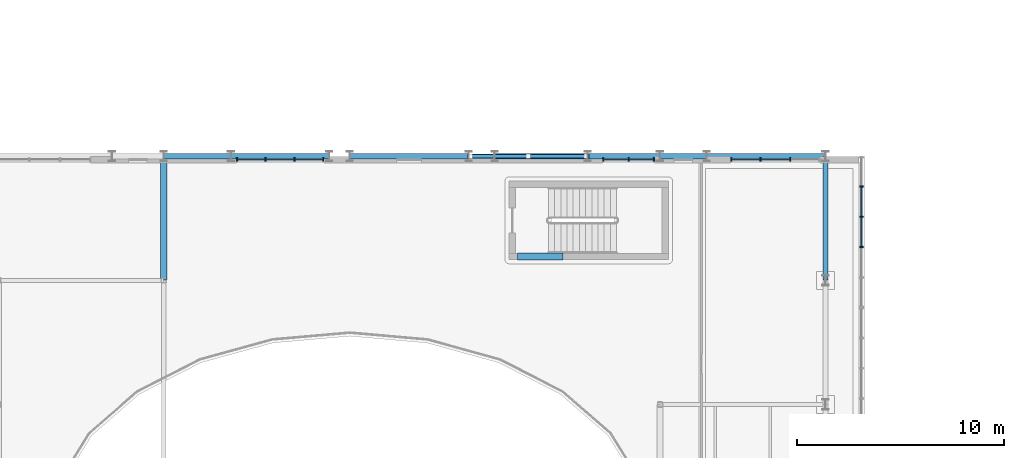
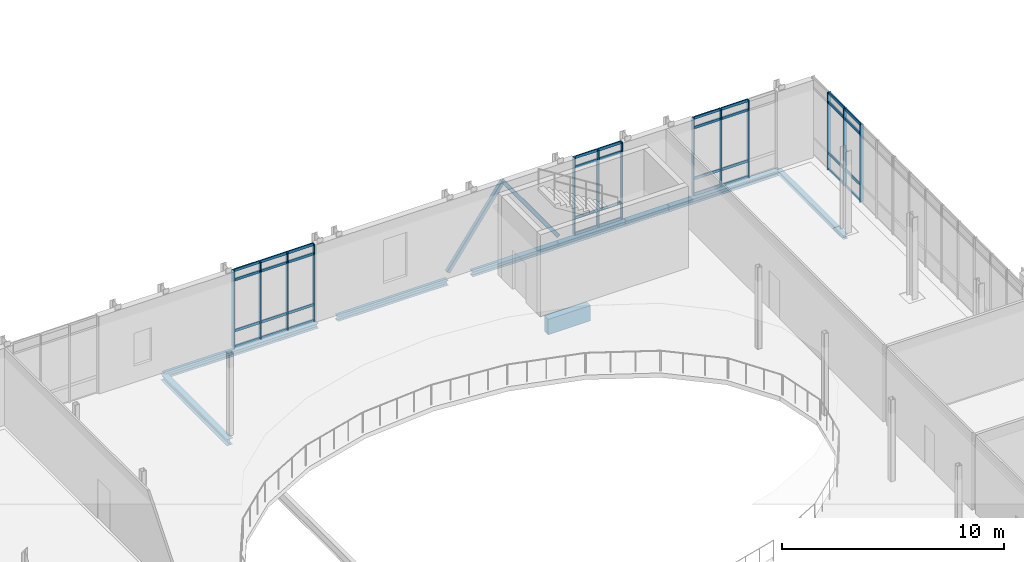
# One storey, part 34 of 100: 51 members, 10 beams, 4 elements without a shape of their own.
"""IFC4 building model written with IfcOpenShell, lengths in metres."""

from ifc_helpers import new_model, si_unit, direction, frame, origin, origin_2d, place, context, subcontext, project, spatial, rectangle, hollow_rectangle, i_section, extrude, material, material_profile, profile_set, type_object, element, aggregate, save


model = new_model("IFC4")

# Units and contexts
model_context = context("Model", 3, precision=1e-05, world=origin(), true_north=direction((0.0, 1.0)))
body_context = subcontext(model_context, "Body", "Model", "MODEL_VIEW")
ifc_project = project(units=[si_unit("LENGTHUNIT", "METRE"), si_unit("AREAUNIT", "SQUARE_METRE"), si_unit("VOLUMEUNIT", "CUBIC_METRE"), si_unit("PLANEANGLEUNIT", "RADIAN"), si_unit("MASSUNIT", "GRAM", prefix="KILO")], contexts=[model_context])

# Site, building, storey
site_placement = place(None, origin())
site = spatial("IfcSite", under=ifc_project, at=site_placement, CompositionType="ELEMENT")
building_placement = place(site_placement, origin())
building = spatial("IfcBuilding", under=site, at=building_placement, Name="Cymarion Research Institute", CompositionType="ELEMENT")
storey_placement = place(building_placement, frame((0.0, 0.0, 9.300048828125)))
storey = spatial("IfcBuildingStorey", under=building, at=storey_placement, Name="L02", CompositionType="ELEMENT", Elevation=9.300048828125)

# Beam
ifc_material_1 = material(Name="Concrete C40/50", Category="concrete")
ifc_material_profile_1 = material_profile(ifc_material_1, rectangle(XDim=0.35009765625, YDim=0.85009765625, at=origin_2d()), Name="RC 350x850")
ifc_profile_set_1 = profile_set([ifc_material_profile_1], Name="Concrete C40/50")
beam_type_1 = type_object("IfcBeamType", Name="COUPLING LINTEL LN02 RC 350x850", PredefinedType="LINTEL", material=ifc_profile_set_1)
beam_1_placement = place(storey_placement, frame((87.699951171875, 36.64990234375, -0.695068359375), z_axis=(1.0, 0.0, 0.0), x_axis=(0.0, 1.0, 0.0)))
element("IfcBeam", 1, at=beam_1_placement, inside=storey, type_object=beam_type_1, Name="L02 C4 core coupling lintel LN02", PredefinedType="LINTEL", context=body_context, shape_type="SweptSolid", body=[
    extrude(rectangle(XDim=0.35009765625, YDim=0.85009765625, at=origin_2d()), origin(), (0.0, 0.0, 1.0), 2.199951171875),
])

# Curtain wall, members
ifc_material_2 = material(Name="Anodised aluminium unitised curtain wall with Low-E glazing", Category="aluminium")
curtain_wall_type_1 = type_object("IfcCurtainWallType", Name="UNITISED CURTAIN WALL CW08 7320X4250", PredefinedType="NOTDEFINED", material=ifc_material_2)
curtain_wall_1_placement = place(storey_placement, origin())
curtain_wall_1 = element("IfcCurtainWall", 2, at=curtain_wall_1_placement, inside=storey, type_object=curtain_wall_type_1, Name="L02 V2 unitised curtain wall CW08 #82", PredefinedType="NOTDEFINED")
ifc_material_3 = material(Name="Anodised aluminium framing", Category="aluminium")
ifc_material_profile_2 = material_profile(ifc_material_3, rectangle(XDim=0.06005859375, YDim=0.179931640625, at=origin_2d()), Name="ALU MULLION 60x180")
ifc_profile_set_2 = profile_set([ifc_material_profile_2], Name="Anodised aluminium framing")
member_type_1 = type_object("IfcMemberType", Name="CURTAIN WALL MULLION ML01 60X180", PredefinedType="MULLION", material=ifc_profile_set_2)
member_1_placement = place(storey_placement, frame((104.340087890625, 37.10791015625, 0.0), z_axis=(0.0, 0.0, 1.0), x_axis=(0.0, 1.0, 0.0)))
member_1 = element("IfcMember", 3, at=member_1_placement, type_object=member_type_1, Name="CW08 mullion 3", PredefinedType="MULLION", context=body_context, shape_type="SweptSolid", body=[
    extrude(rectangle(XDim=0.06005859375, YDim=0.179931640625, at=origin_2d()), origin(), (0.0, 0.0, 1.0), 4.25),
])
member_2_placement = place(storey_placement, frame((104.340087890625, 38.572021484375, 0.0), z_axis=(0.0, 0.0, 1.0), x_axis=(0.0, 1.0, 0.0)))
member_2 = element("IfcMember", 4, at=member_2_placement, type_object=member_type_1, Name="CW08 mullion 4", PredefinedType="MULLION", context=body_context, shape_type="SweptSolid", body=[
    extrude(rectangle(XDim=0.06005859375, YDim=0.179931640625, at=origin_2d()), origin(), (0.0, 0.0, 1.0), 4.25),
])
member_3_placement = place(storey_placement, frame((104.340087890625, 40.035888671875, 0.0), z_axis=(0.0, 0.0, 1.0), x_axis=(0.0, 1.0, 0.0)))
member_3 = element("IfcMember", 5, at=member_3_placement, type_object=member_type_1, Name="CW08 mullion 5", PredefinedType="MULLION", context=body_context, shape_type="SweptSolid", body=[
    extrude(rectangle(XDim=0.06005859375, YDim=0.179931640625, at=origin_2d()), origin(), (0.0, 0.0, 1.0), 4.25),
])

curtain_wall_type_2 = type_object("IfcCurtainWallType", Name="UNITISED CURTAIN WALL CW09 4330X4250", PredefinedType="NOTDEFINED", material=ifc_material_2)
curtain_wall_2_placement = place(storey_placement, origin())
curtain_wall_2 = element("IfcCurtainWall", 6, at=curtain_wall_2_placement, inside=storey, type_object=curtain_wall_type_2, Name="L02 V2 unitised curtain wall CW09 #83", PredefinedType="NOTDEFINED")
member_4_placement = place(storey_placement, frame((100.89697265625, 41.340087890625, 0.0), z_axis=(0.0, 0.0, 1.0), x_axis=(-1.0, 0.0, 0.0)))
member_4 = element("IfcMember", 7, at=member_4_placement, type_object=member_type_1, Name="CW09 mullion 2", PredefinedType="MULLION", context=body_context, shape_type="SweptSolid", body=[
    extrude(rectangle(XDim=0.06005859375, YDim=0.179931640625, at=origin_2d()), origin(), (0.0, 0.0, 1.0), 4.25),
])
member_5_placement = place(storey_placement, frame((99.453857421875, 41.340087890625, 0.0), z_axis=(0.0, 0.0, 1.0), x_axis=(-1.0, 0.0, 0.0)))
member_5 = element("IfcMember", 8, at=member_5_placement, type_object=member_type_1, Name="CW09 mullion 3", PredefinedType="MULLION", context=body_context, shape_type="SweptSolid", body=[
    extrude(rectangle(XDim=0.06005859375, YDim=0.179931640625, at=origin_2d()), origin(), (0.0, 0.0, 1.0), 4.25),
])
member_6_placement = place(storey_placement, frame((98.040771484375, 41.340087890625, 0.0), z_axis=(0.0, 0.0, 1.0), x_axis=(-1.0, 0.0, 0.0)))
member_6 = element("IfcMember", 9, at=member_6_placement, type_object=member_type_1, Name="CW09 mullion 4", PredefinedType="MULLION", context=body_context, shape_type="SweptSolid", body=[
    extrude(rectangle(XDim=0.06005859375, YDim=0.179931640625, at=origin_2d()), origin(), (0.0, 0.0, 1.0), 4.25),
])

curtain_wall_type_3 = type_object("IfcCurtainWallType", Name="UNITISED CURTAIN WALL CW10 2520X4250", PredefinedType="NOTDEFINED", material=ifc_material_2)
curtain_wall_3_placement = place(storey_placement, origin())
curtain_wall_3 = element("IfcCurtainWall", 10, at=curtain_wall_3_placement, inside=storey, type_object=curtain_wall_type_3, Name="L02 V2 unitised curtain wall CW10 #84", PredefinedType="NOTDEFINED")
member_7_placement = place(storey_placement, frame((94.31005859375, 41.340087890625, 0.0), z_axis=(0.0, 0.0, 1.0), x_axis=(-1.0, 0.0, 0.0)))
member_7 = element("IfcMember", 11, at=member_7_placement, type_object=member_type_1, Name="CW10 mullion 1", PredefinedType="MULLION", context=body_context, shape_type="SweptSolid", body=[
    extrude(rectangle(XDim=0.06005859375, YDim=0.179931640625, at=origin_2d()), origin(), (0.0, 0.0, 1.0), 4.25),
])
member_8_placement = place(storey_placement, frame((93.081787109375, 41.340087890625, 0.0), z_axis=(0.0, 0.0, 1.0), x_axis=(-1.0, 0.0, 0.0)))
member_8 = element("IfcMember", 12, at=member_8_placement, type_object=member_type_1, Name="CW10 mullion 2", PredefinedType="MULLION", context=body_context, shape_type="SweptSolid", body=[
    extrude(rectangle(XDim=0.06005859375, YDim=0.179931640625, at=origin_2d()), origin(), (0.0, 0.0, 1.0), 4.25),
])
member_9_placement = place(storey_placement, frame((91.853515625, 41.340087890625, 0.0), z_axis=(0.0, 0.0, 1.0), x_axis=(-1.0, 0.0, 0.0)))
member_9 = element("IfcMember", 13, at=member_9_placement, type_object=member_type_1, Name="CW10 mullion 3", PredefinedType="MULLION", context=body_context, shape_type="SweptSolid", body=[
    extrude(rectangle(XDim=0.06005859375, YDim=0.179931640625, at=origin_2d()), origin(), (0.0, 0.0, 1.0), 4.25),
])

curtain_wall_type_4 = type_object("IfcCurtainWallType", Name="UNITISED CURTAIN WALL CW11 4230X4250", PredefinedType="NOTDEFINED", material=ifc_material_2)
curtain_wall_4_placement = place(storey_placement, origin())
curtain_wall_4 = element("IfcCurtainWall", 14, at=curtain_wall_4_placement, inside=storey, type_object=curtain_wall_type_4, Name="L02 V2 unitised curtain wall CW11 #85", PredefinedType="NOTDEFINED")
member_10_placement = place(storey_placement, frame((78.31005859375, 41.340087890625, 0.0), z_axis=(0.0, 0.0, 1.0), x_axis=(-1.0, 0.0, 0.0)))
member_10 = element("IfcMember", 15, at=member_10_placement, type_object=member_type_1, Name="CW11 mullion 1", PredefinedType="MULLION", context=body_context, shape_type="SweptSolid", body=[
    extrude(rectangle(XDim=0.06005859375, YDim=0.179931640625, at=origin_2d()), origin(), (0.0, 0.0, 1.0), 4.25),
])
member_11_placement = place(storey_placement, frame((76.929931640625, 41.340087890625, 0.0), z_axis=(0.0, 0.0, 1.0), x_axis=(-1.0, 0.0, 0.0)))
member_11 = element("IfcMember", 16, at=member_11_placement, type_object=member_type_1, Name="CW11 mullion 2", PredefinedType="MULLION", context=body_context, shape_type="SweptSolid", body=[
    extrude(rectangle(XDim=0.06005859375, YDim=0.179931640625, at=origin_2d()), origin(), (0.0, 0.0, 1.0), 4.25),
])
member_12_placement = place(storey_placement, frame((75.52001953125, 41.340087890625, 0.0), z_axis=(0.0, 0.0, 1.0), x_axis=(-1.0, 0.0, 0.0)))
member_12 = element("IfcMember", 17, at=member_12_placement, type_object=member_type_1, Name="CW11 mullion 3", PredefinedType="MULLION", context=body_context, shape_type="SweptSolid", body=[
    extrude(rectangle(XDim=0.06005859375, YDim=0.179931640625, at=origin_2d()), origin(), (0.0, 0.0, 1.0), 4.25),
])
member_13_placement = place(storey_placement, frame((74.139892578125, 41.340087890625, 0.0), z_axis=(0.0, 0.0, 1.0), x_axis=(-1.0, 0.0, 0.0)))
member_13 = element("IfcMember", 18, at=member_13_placement, type_object=member_type_1, Name="CW11 mullion 4", PredefinedType="MULLION", context=body_context, shape_type="SweptSolid", body=[
    extrude(rectangle(XDim=0.06005859375, YDim=0.179931640625, at=origin_2d()), origin(), (0.0, 0.0, 1.0), 4.25),
])

# Member
ifc_material_profile_3 = material_profile(ifc_material_3, rectangle(XDim=0.06005859375, YDim=0.14990234375, at=origin_2d()), Name="ALU TRANSOM 60x150")
ifc_profile_set_3 = profile_set([ifc_material_profile_3], Name="Anodised aluminium framing")
member_type_2 = type_object("IfcMemberType", Name="CURTAIN WALL TRANSOM TR01 60X150", PredefinedType="USERDEFINED", material=ifc_profile_set_3)
member_14_placement = place(storey_placement, frame((104.340087890625, 37.137939453125, 0.030029296875), z_axis=(0.0, 1.0, 0.0), x_axis=(-1.0, 0.0, 0.0)))
member_14 = element("IfcMember", 19, at=member_14_placement, type_object=member_type_2, Name="CW08 transom 3.1", ObjectType="TRANSOM", PredefinedType="USERDEFINED", context=body_context, shape_type="SweptSolid", body=[
    extrude(rectangle(XDim=0.06005859375, YDim=0.14990234375, at=origin_2d()), origin(), (0.0, 0.0, 1.0), 1.404052734375),
])

member_15_placement = place(storey_placement, frame((104.340087890625, 37.137939453125, 0.89990234375), z_axis=(0.0, 1.0, 0.0), x_axis=(-1.0, 0.0, 0.0)))
member_15 = element("IfcMember", 20, at=member_15_placement, type_object=member_type_2, Name="CW08 transom 3.2", ObjectType="TRANSOM", PredefinedType="USERDEFINED", context=body_context, shape_type="SweptSolid", body=[
    extrude(rectangle(XDim=0.06005859375, YDim=0.14990234375, at=origin_2d()), origin(), (0.0, 0.0, 1.0), 1.404052734375),
])

member_16_placement = place(storey_placement, frame((104.340087890625, 37.137939453125, 3.699951171875), z_axis=(0.0, 1.0, 0.0), x_axis=(-1.0, 0.0, 0.0)))
member_16 = element("IfcMember", 21, at=member_16_placement, type_object=member_type_2, Name="CW08 transom 3.3", ObjectType="TRANSOM", PredefinedType="USERDEFINED", context=body_context, shape_type="SweptSolid", body=[
    extrude(rectangle(XDim=0.06005859375, YDim=0.14990234375, at=origin_2d()), origin(), (0.0, 0.0, 1.0), 1.404052734375),
])

member_17_placement = place(storey_placement, frame((104.340087890625, 37.137939453125, 4.219970703125), z_axis=(0.0, 1.0, 0.0), x_axis=(-1.0, 0.0, 0.0)))
member_17 = element("IfcMember", 22, at=member_17_placement, type_object=member_type_2, Name="CW08 transom 3.4", ObjectType="TRANSOM", PredefinedType="USERDEFINED", context=body_context, shape_type="SweptSolid", body=[
    extrude(rectangle(XDim=0.06005859375, YDim=0.14990234375, at=origin_2d()), origin(), (0.0, 0.0, 1.0), 1.404052734375),
])

member_18_placement = place(storey_placement, frame((104.340087890625, 38.60205078125, 0.030029296875), z_axis=(0.0, 1.0, 0.0), x_axis=(-1.0, 0.0, 0.0)))
member_18 = element("IfcMember", 23, at=member_18_placement, type_object=member_type_2, Name="CW08 transom 4.1", ObjectType="TRANSOM", PredefinedType="USERDEFINED", context=body_context, shape_type="SweptSolid", body=[
    extrude(rectangle(XDim=0.06005859375, YDim=0.14990234375, at=origin_2d()), origin(), (0.0, 0.0, 1.0), 1.404052734375),
])

member_19_placement = place(storey_placement, frame((104.340087890625, 38.60205078125, 0.89990234375), z_axis=(0.0, 1.0, 0.0), x_axis=(-1.0, 0.0, 0.0)))
member_19 = element("IfcMember", 24, at=member_19_placement, type_object=member_type_2, Name="CW08 transom 4.2", ObjectType="TRANSOM", PredefinedType="USERDEFINED", context=body_context, shape_type="SweptSolid", body=[
    extrude(rectangle(XDim=0.06005859375, YDim=0.14990234375, at=origin_2d()), origin(), (0.0, 0.0, 1.0), 1.404052734375),
])

member_20_placement = place(storey_placement, frame((104.340087890625, 38.60205078125, 3.699951171875), z_axis=(0.0, 1.0, 0.0), x_axis=(-1.0, 0.0, 0.0)))
member_20 = element("IfcMember", 25, at=member_20_placement, type_object=member_type_2, Name="CW08 transom 4.3", ObjectType="TRANSOM", PredefinedType="USERDEFINED", context=body_context, shape_type="SweptSolid", body=[
    extrude(rectangle(XDim=0.06005859375, YDim=0.14990234375, at=origin_2d()), origin(), (0.0, 0.0, 1.0), 1.404052734375),
])

member_21_placement = place(storey_placement, frame((104.340087890625, 38.60205078125, 4.219970703125), z_axis=(0.0, 1.0, 0.0), x_axis=(-1.0, 0.0, 0.0)))
member_21 = element("IfcMember", 26, at=member_21_placement, type_object=member_type_2, Name="CW08 transom 4.4", ObjectType="TRANSOM", PredefinedType="USERDEFINED", context=body_context, shape_type="SweptSolid", body=[
    extrude(rectangle(XDim=0.06005859375, YDim=0.14990234375, at=origin_2d()), origin(), (0.0, 0.0, 1.0), 1.404052734375),
])

aggregate(curtain_wall_1, [member_1, member_2, member_3, member_14, member_15, member_16, member_17, member_18, member_19, member_20, member_21])

member_22_placement = place(storey_placement, frame((100.866943359375, 41.340087890625, 0.030029296875), z_axis=(-1.0, 0.0, 0.0), x_axis=(0.0, -1.0, 0.0)))
member_22 = element("IfcMember", 27, at=member_22_placement, type_object=member_type_2, Name="CW09 transom 2.1", ObjectType="TRANSOM", PredefinedType="USERDEFINED", context=body_context, shape_type="SweptSolid", body=[
    extrude(rectangle(XDim=0.06005859375, YDim=0.14990234375, at=origin_2d()), origin(), (0.0, 0.0, 1.0), 1.383056640625),
])

member_23_placement = place(storey_placement, frame((100.866943359375, 41.340087890625, 0.89990234375), z_axis=(-1.0, 0.0, 0.0), x_axis=(0.0, -1.0, 0.0)))
member_23 = element("IfcMember", 28, at=member_23_placement, type_object=member_type_2, Name="CW09 transom 2.2", ObjectType="TRANSOM", PredefinedType="USERDEFINED", context=body_context, shape_type="SweptSolid", body=[
    extrude(rectangle(XDim=0.06005859375, YDim=0.14990234375, at=origin_2d()), origin(), (0.0, 0.0, 1.0), 1.383056640625),
])

member_24_placement = place(storey_placement, frame((100.866943359375, 41.340087890625, 3.699951171875), z_axis=(-1.0, 0.0, 0.0), x_axis=(0.0, -1.0, 0.0)))
member_24 = element("IfcMember", 29, at=member_24_placement, type_object=member_type_2, Name="CW09 transom 2.3", ObjectType="TRANSOM", PredefinedType="USERDEFINED", context=body_context, shape_type="SweptSolid", body=[
    extrude(rectangle(XDim=0.06005859375, YDim=0.14990234375, at=origin_2d()), origin(), (0.0, 0.0, 1.0), 1.383056640625),
])

member_25_placement = place(storey_placement, frame((100.866943359375, 41.340087890625, 4.219970703125), z_axis=(-1.0, 0.0, 0.0), x_axis=(0.0, -1.0, 0.0)))
member_25 = element("IfcMember", 30, at=member_25_placement, type_object=member_type_2, Name="CW09 transom 2.4", ObjectType="TRANSOM", PredefinedType="USERDEFINED", context=body_context, shape_type="SweptSolid", body=[
    extrude(rectangle(XDim=0.06005859375, YDim=0.14990234375, at=origin_2d()), origin(), (0.0, 0.0, 1.0), 1.383056640625),
])

member_26_placement = place(storey_placement, frame((99.423828125, 41.340087890625, 0.030029296875), z_axis=(-1.0, 0.0, 0.0), x_axis=(0.0, -1.0, 0.0)))
member_26 = element("IfcMember", 31, at=member_26_placement, type_object=member_type_2, Name="CW09 transom 3.1", ObjectType="TRANSOM", PredefinedType="USERDEFINED", context=body_context, shape_type="SweptSolid", body=[
    extrude(rectangle(XDim=0.06005859375, YDim=0.14990234375, at=origin_2d()), origin(), (0.0, 0.0, 1.0), 1.35302734375),
])

member_27_placement = place(storey_placement, frame((99.423828125, 41.340087890625, 0.89990234375), z_axis=(-1.0, 0.0, 0.0), x_axis=(0.0, -1.0, 0.0)))
member_27 = element("IfcMember", 32, at=member_27_placement, type_object=member_type_2, Name="CW09 transom 3.2", ObjectType="TRANSOM", PredefinedType="USERDEFINED", context=body_context, shape_type="SweptSolid", body=[
    extrude(rectangle(XDim=0.06005859375, YDim=0.14990234375, at=origin_2d()), origin(), (0.0, 0.0, 1.0), 1.35302734375),
])

member_28_placement = place(storey_placement, frame((99.423828125, 41.340087890625, 3.699951171875), z_axis=(-1.0, 0.0, 0.0), x_axis=(0.0, -1.0, 0.0)))
member_28 = element("IfcMember", 33, at=member_28_placement, type_object=member_type_2, Name="CW09 transom 3.3", ObjectType="TRANSOM", PredefinedType="USERDEFINED", context=body_context, shape_type="SweptSolid", body=[
    extrude(rectangle(XDim=0.06005859375, YDim=0.14990234375, at=origin_2d()), origin(), (0.0, 0.0, 1.0), 1.35302734375),
])

member_29_placement = place(storey_placement, frame((99.423828125, 41.340087890625, 4.219970703125), z_axis=(-1.0, 0.0, 0.0), x_axis=(0.0, -1.0, 0.0)))
member_29 = element("IfcMember", 34, at=member_29_placement, type_object=member_type_2, Name="CW09 transom 3.4", ObjectType="TRANSOM", PredefinedType="USERDEFINED", context=body_context, shape_type="SweptSolid", body=[
    extrude(rectangle(XDim=0.06005859375, YDim=0.14990234375, at=origin_2d()), origin(), (0.0, 0.0, 1.0), 1.35302734375),
])

aggregate(curtain_wall_2, [member_4, member_5, member_6, member_22, member_23, member_24, member_25, member_26, member_27, member_28, member_29])

member_30_placement = place(storey_placement, frame((94.280029296875, 41.340087890625, 0.030029296875), z_axis=(-1.0, 0.0, 0.0), x_axis=(0.0, -1.0, 0.0)))
member_30 = element("IfcMember", 35, at=member_30_placement, type_object=member_type_2, Name="CW10 transom 1.1", ObjectType="TRANSOM", PredefinedType="USERDEFINED", context=body_context, shape_type="SweptSolid", body=[
    extrude(rectangle(XDim=0.06005859375, YDim=0.14990234375, at=origin_2d()), origin(), (0.0, 0.0, 1.0), 1.168212890625),
])

member_31_placement = place(storey_placement, frame((94.280029296875, 41.340087890625, 0.89990234375), z_axis=(-1.0, 0.0, 0.0), x_axis=(0.0, -1.0, 0.0)))
member_31 = element("IfcMember", 36, at=member_31_placement, type_object=member_type_2, Name="CW10 transom 1.2", ObjectType="TRANSOM", PredefinedType="USERDEFINED", context=body_context, shape_type="SweptSolid", body=[
    extrude(rectangle(XDim=0.06005859375, YDim=0.14990234375, at=origin_2d()), origin(), (0.0, 0.0, 1.0), 1.168212890625),
])

member_32_placement = place(storey_placement, frame((94.280029296875, 41.340087890625, 3.699951171875), z_axis=(-1.0, 0.0, 0.0), x_axis=(0.0, -1.0, 0.0)))
member_32 = element("IfcMember", 37, at=member_32_placement, type_object=member_type_2, Name="CW10 transom 1.3", ObjectType="TRANSOM", PredefinedType="USERDEFINED", context=body_context, shape_type="SweptSolid", body=[
    extrude(rectangle(XDim=0.06005859375, YDim=0.14990234375, at=origin_2d()), origin(), (0.0, 0.0, 1.0), 1.168212890625),
])

member_33_placement = place(storey_placement, frame((94.280029296875, 41.340087890625, 4.219970703125), z_axis=(-1.0, 0.0, 0.0), x_axis=(0.0, -1.0, 0.0)))
member_33 = element("IfcMember", 38, at=member_33_placement, type_object=member_type_2, Name="CW10 transom 1.4", ObjectType="TRANSOM", PredefinedType="USERDEFINED", context=body_context, shape_type="SweptSolid", body=[
    extrude(rectangle(XDim=0.06005859375, YDim=0.14990234375, at=origin_2d()), origin(), (0.0, 0.0, 1.0), 1.168212890625),
])

member_34_placement = place(storey_placement, frame((93.0517578125, 41.340087890625, 0.030029296875), z_axis=(-1.0, 0.0, 0.0), x_axis=(0.0, -1.0, 0.0)))
member_34 = element("IfcMember", 39, at=member_34_placement, type_object=member_type_2, Name="CW10 transom 2.1", ObjectType="TRANSOM", PredefinedType="USERDEFINED", context=body_context, shape_type="SweptSolid", body=[
    extrude(rectangle(XDim=0.06005859375, YDim=0.14990234375, at=origin_2d()), origin(), (0.0, 0.0, 1.0), 1.168212890625),
])

member_35_placement = place(storey_placement, frame((93.0517578125, 41.340087890625, 0.89990234375), z_axis=(-1.0, 0.0, 0.0), x_axis=(0.0, -1.0, 0.0)))
member_35 = element("IfcMember", 40, at=member_35_placement, type_object=member_type_2, Name="CW10 transom 2.2", ObjectType="TRANSOM", PredefinedType="USERDEFINED", context=body_context, shape_type="SweptSolid", body=[
    extrude(rectangle(XDim=0.06005859375, YDim=0.14990234375, at=origin_2d()), origin(), (0.0, 0.0, 1.0), 1.168212890625),
])

member_36_placement = place(storey_placement, frame((93.0517578125, 41.340087890625, 3.699951171875), z_axis=(-1.0, 0.0, 0.0), x_axis=(0.0, -1.0, 0.0)))
member_36 = element("IfcMember", 41, at=member_36_placement, type_object=member_type_2, Name="CW10 transom 2.3", ObjectType="TRANSOM", PredefinedType="USERDEFINED", context=body_context, shape_type="SweptSolid", body=[
    extrude(rectangle(XDim=0.06005859375, YDim=0.14990234375, at=origin_2d()), origin(), (0.0, 0.0, 1.0), 1.168212890625),
])

member_37_placement = place(storey_placement, frame((93.0517578125, 41.340087890625, 4.219970703125), z_axis=(-1.0, 0.0, 0.0), x_axis=(0.0, -1.0, 0.0)))
member_37 = element("IfcMember", 42, at=member_37_placement, type_object=member_type_2, Name="CW10 transom 2.4", ObjectType="TRANSOM", PredefinedType="USERDEFINED", context=body_context, shape_type="SweptSolid", body=[
    extrude(rectangle(XDim=0.06005859375, YDim=0.14990234375, at=origin_2d()), origin(), (0.0, 0.0, 1.0), 1.168212890625),
])

aggregate(curtain_wall_3, [member_7, member_8, member_9, member_30, member_31, member_32, member_33, member_34, member_35, member_36, member_37])

member_38_placement = place(storey_placement, frame((78.280029296875, 41.340087890625, 0.030029296875), z_axis=(-1.0, 0.0, 0.0), x_axis=(0.0, -1.0, 0.0)))
member_38 = element("IfcMember", 43, at=member_38_placement, type_object=member_type_2, Name="CW11 transom 1.1", ObjectType="TRANSOM", PredefinedType="USERDEFINED", context=body_context, shape_type="SweptSolid", body=[
    extrude(rectangle(XDim=0.06005859375, YDim=0.14990234375, at=origin_2d()), origin(), (0.0, 0.0, 1.0), 1.320068359375),
])

member_39_placement = place(storey_placement, frame((78.280029296875, 41.340087890625, 0.89990234375), z_axis=(-1.0, 0.0, 0.0), x_axis=(0.0, -1.0, 0.0)))
member_39 = element("IfcMember", 44, at=member_39_placement, type_object=member_type_2, Name="CW11 transom 1.2", ObjectType="TRANSOM", PredefinedType="USERDEFINED", context=body_context, shape_type="SweptSolid", body=[
    extrude(rectangle(XDim=0.06005859375, YDim=0.14990234375, at=origin_2d()), origin(), (0.0, 0.0, 1.0), 1.320068359375),
])

member_40_placement = place(storey_placement, frame((78.280029296875, 41.340087890625, 3.699951171875), z_axis=(-1.0, 0.0, 0.0), x_axis=(0.0, -1.0, 0.0)))
member_40 = element("IfcMember", 45, at=member_40_placement, type_object=member_type_2, Name="CW11 transom 1.3", ObjectType="TRANSOM", PredefinedType="USERDEFINED", context=body_context, shape_type="SweptSolid", body=[
    extrude(rectangle(XDim=0.06005859375, YDim=0.14990234375, at=origin_2d()), origin(), (0.0, 0.0, 1.0), 1.320068359375),
])

member_41_placement = place(storey_placement, frame((78.280029296875, 41.340087890625, 4.219970703125), z_axis=(-1.0, 0.0, 0.0), x_axis=(0.0, -1.0, 0.0)))
member_41 = element("IfcMember", 46, at=member_41_placement, type_object=member_type_2, Name="CW11 transom 1.4", ObjectType="TRANSOM", PredefinedType="USERDEFINED", context=body_context, shape_type="SweptSolid", body=[
    extrude(rectangle(XDim=0.06005859375, YDim=0.14990234375, at=origin_2d()), origin(), (0.0, 0.0, 1.0), 1.320068359375),
])

member_42_placement = place(storey_placement, frame((76.89990234375, 41.340087890625, 0.030029296875), z_axis=(-1.0, 0.0, 0.0), x_axis=(0.0, -1.0, 0.0)))
member_42 = element("IfcMember", 47, at=member_42_placement, type_object=member_type_2, Name="CW11 transom 2.1", ObjectType="TRANSOM", PredefinedType="USERDEFINED", context=body_context, shape_type="SweptSolid", body=[
    extrude(rectangle(XDim=0.06005859375, YDim=0.14990234375, at=origin_2d()), origin(), (0.0, 0.0, 1.0), 1.349853515625),
])

member_43_placement = place(storey_placement, frame((76.89990234375, 41.340087890625, 0.89990234375), z_axis=(-1.0, 0.0, 0.0), x_axis=(0.0, -1.0, 0.0)))
member_43 = element("IfcMember", 48, at=member_43_placement, type_object=member_type_2, Name="CW11 transom 2.2", ObjectType="TRANSOM", PredefinedType="USERDEFINED", context=body_context, shape_type="SweptSolid", body=[
    extrude(rectangle(XDim=0.06005859375, YDim=0.14990234375, at=origin_2d()), origin(), (0.0, 0.0, 1.0), 1.349853515625),
])

member_44_placement = place(storey_placement, frame((76.89990234375, 41.340087890625, 3.699951171875), z_axis=(-1.0, 0.0, 0.0), x_axis=(0.0, -1.0, 0.0)))
member_44 = element("IfcMember", 49, at=member_44_placement, type_object=member_type_2, Name="CW11 transom 2.3", ObjectType="TRANSOM", PredefinedType="USERDEFINED", context=body_context, shape_type="SweptSolid", body=[
    extrude(rectangle(XDim=0.06005859375, YDim=0.14990234375, at=origin_2d()), origin(), (0.0, 0.0, 1.0), 1.349853515625),
])

member_45_placement = place(storey_placement, frame((76.89990234375, 41.340087890625, 4.219970703125), z_axis=(-1.0, 0.0, 0.0), x_axis=(0.0, -1.0, 0.0)))
member_45 = element("IfcMember", 50, at=member_45_placement, type_object=member_type_2, Name="CW11 transom 2.4", ObjectType="TRANSOM", PredefinedType="USERDEFINED", context=body_context, shape_type="SweptSolid", body=[
    extrude(rectangle(XDim=0.06005859375, YDim=0.14990234375, at=origin_2d()), origin(), (0.0, 0.0, 1.0), 1.349853515625),
])

member_46_placement = place(storey_placement, frame((75.489990234375, 41.340087890625, 0.030029296875), z_axis=(-1.0, 0.0, 0.0), x_axis=(0.0, -1.0, 0.0)))
member_46 = element("IfcMember", 51, at=member_46_placement, type_object=member_type_2, Name="CW11 transom 3.1", ObjectType="TRANSOM", PredefinedType="USERDEFINED", context=body_context, shape_type="SweptSolid", body=[
    extrude(rectangle(XDim=0.06005859375, YDim=0.14990234375, at=origin_2d()), origin(), (0.0, 0.0, 1.0), 1.320068359375),
])

member_47_placement = place(storey_placement, frame((75.489990234375, 41.340087890625, 0.89990234375), z_axis=(-1.0, 0.0, 0.0), x_axis=(0.0, -1.0, 0.0)))
member_47 = element("IfcMember", 52, at=member_47_placement, type_object=member_type_2, Name="CW11 transom 3.2", ObjectType="TRANSOM", PredefinedType="USERDEFINED", context=body_context, shape_type="SweptSolid", body=[
    extrude(rectangle(XDim=0.06005859375, YDim=0.14990234375, at=origin_2d()), origin(), (0.0, 0.0, 1.0), 1.320068359375),
])

member_48_placement = place(storey_placement, frame((75.489990234375, 41.340087890625, 3.699951171875), z_axis=(-1.0, 0.0, 0.0), x_axis=(0.0, -1.0, 0.0)))
member_48 = element("IfcMember", 53, at=member_48_placement, type_object=member_type_2, Name="CW11 transom 3.3", ObjectType="TRANSOM", PredefinedType="USERDEFINED", context=body_context, shape_type="SweptSolid", body=[
    extrude(rectangle(XDim=0.06005859375, YDim=0.14990234375, at=origin_2d()), origin(), (0.0, 0.0, 1.0), 1.320068359375),
])

member_49_placement = place(storey_placement, frame((75.489990234375, 41.340087890625, 4.219970703125), z_axis=(-1.0, 0.0, 0.0), x_axis=(0.0, -1.0, 0.0)))
member_49 = element("IfcMember", 54, at=member_49_placement, type_object=member_type_2, Name="CW11 transom 3.4", ObjectType="TRANSOM", PredefinedType="USERDEFINED", context=body_context, shape_type="SweptSolid", body=[
    extrude(rectangle(XDim=0.06005859375, YDim=0.14990234375, at=origin_2d()), origin(), (0.0, 0.0, 1.0), 1.320068359375),
])

aggregate(curtain_wall_4, [member_10, member_11, member_12, member_13, member_38, member_39, member_40, member_41, member_42, member_43, member_44, member_45, member_46, member_47, member_48, member_49])

# Beams
ifc_material_4 = material(Name="Steel S355", Category="steel")
ifc_material_profile_4 = material_profile(ifc_material_4, i_section(OverallWidth=0.300048828125, OverallDepth=0.35009765625, WebThickness=0.010009765625, FlangeThickness=0.017578125, FilletRadius=0.027099609375, at=origin_2d()), Name="HEA 360")
ifc_profile_set_4 = profile_set([ifc_material_profile_4], Name="Steel S355")
beam_type_2 = type_object("IfcBeamType", Name="PRIMARY GIRDER BM12 HEA 360", PredefinedType="BEAM", material=ifc_profile_set_4)
beam_2_placement = place(storey_placement, frame((70.60009765625, 35.506103515625, -0.425048828125), z_axis=(0.0, 1.0, 0.0), x_axis=(-1.0, 0.0, 0.0)))
element("IfcBeam", 55, at=beam_2_placement, inside=storey, type_object=beam_type_2, Name="L02 V2 girder BM12 #917", PredefinedType="BEAM", context=body_context, shape_type="SweptSolid", body=[
    extrude(i_section(OverallWidth=0.300048828125, OverallDepth=0.35009765625, WebThickness=0.010009765625, FlangeThickness=0.017578125, FilletRadius=0.027099609375, at=origin_2d()), origin(), (0.0, 0.0, 1.0), 5.98779296875),
])
ifc_material_profile_5 = material_profile(ifc_material_4, i_section(OverallWidth=0.280029296875, OverallDepth=0.27001953125, WebThickness=0.008056640625, FlangeThickness=0.012939453125, FilletRadius=0.02392578125, at=origin_2d()), Name="HEA 280")
ifc_profile_set_5 = profile_set([ifc_material_profile_5], Name="Steel S355")
beam_type_3 = type_object("IfcBeamType", Name="SPANDREL BEAM SPB02 HEA 280", PredefinedType="SPANDREL", material=ifc_profile_set_5)
beam_3_placement = place(storey_placement, frame((70.60595703125, 41.5, -0.385009765625), z_axis=(1.0, 0.0, 0.0), x_axis=(0.0, 1.0, 0.0)))
element("IfcBeam", 56, at=beam_3_placement, inside=storey, type_object=beam_type_3, Name="L02 V2 girder SPB02 #898", PredefinedType="SPANDREL", context=body_context, shape_type="SweptSolid", body=[
    extrude(i_section(OverallWidth=0.280029296875, OverallDepth=0.27001953125, WebThickness=0.008056640625, FlangeThickness=0.012939453125, FilletRadius=0.02392578125, at=origin_2d()), origin(), (0.0, 0.0, 1.0), 3.238037109375),
])
beam_4_placement = place(storey_placement, frame((73.85595703125, 41.5, -0.385009765625), z_axis=(1.0, 0.0, 0.0), x_axis=(0.0, 1.0, 0.0)))
element("IfcBeam", 57, at=beam_4_placement, inside=storey, type_object=beam_type_3, Name="L02 V2 girder SPB02 #899", PredefinedType="SPANDREL", context=body_context, shape_type="SweptSolid", body=[
    extrude(i_section(OverallWidth=0.280029296875, OverallDepth=0.27001953125, WebThickness=0.008056640625, FlangeThickness=0.012939453125, FilletRadius=0.02392578125, at=origin_2d()), origin(), (0.0, 0.0, 1.0), 4.738037109375),
])
beam_5_placement = place(storey_placement, frame((79.60595703125, 41.5, -0.385009765625), z_axis=(1.0, 0.0, 0.0), x_axis=(0.0, 1.0, 0.0)))
element("IfcBeam", 58, at=beam_5_placement, inside=storey, type_object=beam_type_3, Name="L02 V2 girder SPB02 #900", PredefinedType="SPANDREL", context=body_context, shape_type="SweptSolid", body=[
    extrude(i_section(OverallWidth=0.280029296875, OverallDepth=0.27001953125, WebThickness=0.008056640625, FlangeThickness=0.012939453125, FilletRadius=0.02392578125, at=origin_2d()), origin(), (0.0, 0.0, 1.0), 5.738037109375),
])
beam_6_placement = place(storey_placement, frame((86.60595703125, 41.5, -0.385009765625), z_axis=(1.0, 0.0, 0.0), x_axis=(0.0, 1.0, 0.0)))
element("IfcBeam", 59, at=beam_6_placement, inside=storey, type_object=beam_type_3, Name="L02 V2 girder SPB02 #901", PredefinedType="SPANDREL", context=body_context, shape_type="SweptSolid", body=[
    extrude(i_section(OverallWidth=0.280029296875, OverallDepth=0.27001953125, WebThickness=0.008056640625, FlangeThickness=0.012939453125, FilletRadius=0.02392578125, at=origin_2d()), origin(), (0.0, 0.0, 1.0), 4.488037109375),
])
beam_7_placement = place(storey_placement, frame((91.10595703125, 41.5, -0.385009765625), z_axis=(1.0, 0.0, 0.0), x_axis=(0.0, 1.0, 0.0)))
element("IfcBeam", 60, at=beam_7_placement, inside=storey, type_object=beam_type_3, Name="L02 V2 girder SPB02 #902", PredefinedType="SPANDREL", context=body_context, shape_type="SweptSolid", body=[
    extrude(i_section(OverallWidth=0.280029296875, OverallDepth=0.27001953125, WebThickness=0.008056640625, FlangeThickness=0.012939453125, FilletRadius=0.02392578125, at=origin_2d()), origin(), (0.0, 0.0, 1.0), 3.488037109375),
])
beam_8_placement = place(storey_placement, frame((94.60595703125, 41.5, -0.385009765625), z_axis=(1.0, 0.0, 0.0), x_axis=(0.0, 1.0, 0.0)))
element("IfcBeam", 61, at=beam_8_placement, inside=storey, type_object=beam_type_3, Name="L02 V2 girder SPB02 #903", PredefinedType="SPANDREL", context=body_context, shape_type="SweptSolid", body=[
    extrude(i_section(OverallWidth=0.280029296875, OverallDepth=0.27001953125, WebThickness=0.008056640625, FlangeThickness=0.012939453125, FilletRadius=0.02392578125, at=origin_2d()), origin(), (0.0, 0.0, 1.0), 2.238037109375),
])
beam_9_placement = place(storey_placement, frame((96.85595703125, 41.5, -0.385009765625), z_axis=(1.0, 0.0, 0.0), x_axis=(0.0, 1.0, 0.0)))
element("IfcBeam", 62, at=beam_9_placement, inside=storey, type_object=beam_type_3, Name="L02 V2 girder SPB02 #904", PredefinedType="SPANDREL", context=body_context, shape_type="SweptSolid", body=[
    extrude(i_section(OverallWidth=0.280029296875, OverallDepth=0.27001953125, WebThickness=0.008056640625, FlangeThickness=0.012939453125, FilletRadius=0.02392578125, at=origin_2d()), origin(), (0.0, 0.0, 1.0), 5.738037109375),
])
ifc_material_profile_6 = material_profile(ifc_material_4, i_section(OverallWidth=0.239990234375, OverallDepth=0.22998046875, WebThickness=0.007568359375, FlangeThickness=0.011962890625, FilletRadius=0.02099609375, at=origin_2d()), Name="HEA 240")
ifc_profile_set_6 = profile_set([ifc_material_profile_6], Name="Steel S355")
beam_type_4 = type_object("IfcBeamType", Name="SPANDREL BEAM SPB03 HEA 240", PredefinedType="SPANDREL", material=ifc_profile_set_6)
beam_10_placement = place(storey_placement, frame((102.60009765625, 35.506103515625, -0.364990234375), z_axis=(0.0, 1.0, 0.0), x_axis=(-1.0, 0.0, 0.0)))
element("IfcBeam", 63, at=beam_10_placement, inside=storey, type_object=beam_type_4, Name="L02 V2 girder SPB03 #929", PredefinedType="SPANDREL", context=body_context, shape_type="SweptSolid", body=[
    extrude(i_section(OverallWidth=0.239990234375, OverallDepth=0.22998046875, WebThickness=0.007568359375, FlangeThickness=0.011962890625, FilletRadius=0.02099609375, at=origin_2d()), origin(), (0.0, 0.0, 1.0), 5.98779296875),
])

# Members
ifc_material_profile_7 = material_profile(ifc_material_4, hollow_rectangle(XDim=0.199951171875, YDim=0.199951171875, WallThickness=0.010009765625, InnerFilletRadius=0.014892578125, OuterFilletRadius=0.02490234375, at=origin_2d()), Name="SHS 200x200x10")
ifc_profile_set_7 = profile_set([ifc_material_profile_7], Name="Steel S355")
member_type_3 = type_object("IfcMemberType", Name="STRUCTURAL MEMBER BR07 SHS 200x200x10", PredefinedType="BRACE", material=ifc_profile_set_7)
for number, where, z_axis, x_axis, name in (
    (64, (85.36181640625, 41.5, 0.119873046875), (0.582240089664, 0.0, 0.813016898956), (0.0, 1.0, 0.0), "L02 V2 seismic chevron brace BR07 #1"),
    (65, (91.08837890625, 41.5, 0.119873046875), (-0.582272970895, 0.0, 0.812993350136), (0.0, -1.0, 0.0), "L02 V2 seismic chevron brace BR07 #2"),
):
    element("IfcMember", number, at=place(storey_placement, frame(where, z_axis=z_axis, x_axis=x_axis)), inside=storey, type_object=member_type_3, Name=name, PredefinedType="BRACE", context=body_context, shape_type="SweptSolid", body=[
        extrude(hollow_rectangle(XDim=0.199951171875, YDim=0.199951171875, WallThickness=0.010009765625, InnerFilletRadius=0.014892578125, OuterFilletRadius=0.02490234375, at=origin_2d()), origin(), (0.0, 0.0, 1.0), 4.90771484375),
    ])

save(model, "model.ifc")
